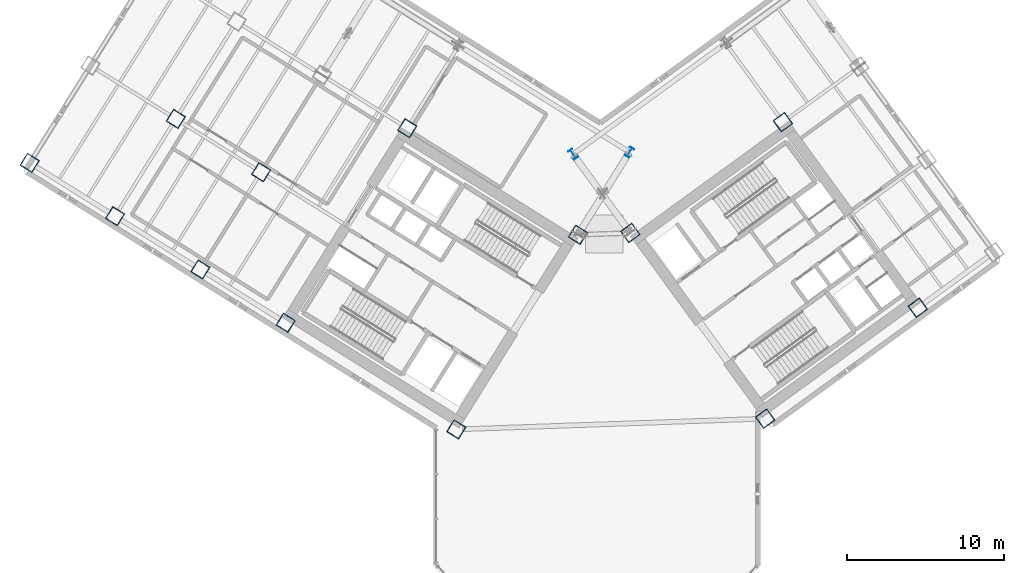
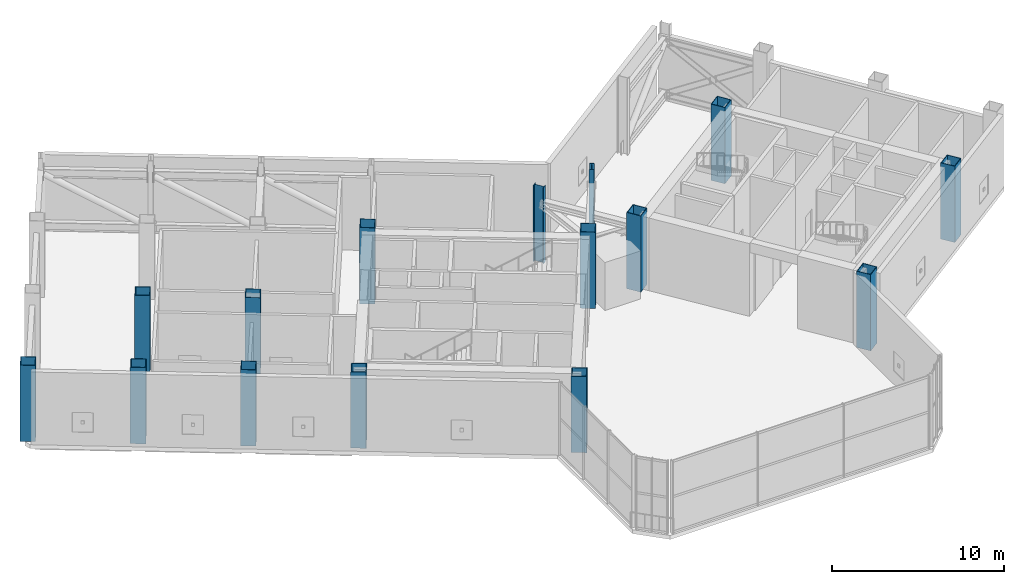
# One storey, part 1 of 21: 15 columns.
"""IFC4 building model written with IfcOpenShell, lengths in metres."""

import ifcopenshell
import ifcopenshell.guid

model = None  # the IFC model being written
_history = None  # IfcOwnerHistory: only IFC2X3 demands one
_inside = {}  # id of a spatial element -> (the spatial element, [elements in it])
_under = {}  # id of a project, library or spatial element -> (it, [spatial elements below it])
_declared = {}  # id of a project -> (the project, [libraries it declares])
_typed = {}  # id of a type object -> (the type object, [elements of that type])
_made_of = {}  # id of a material, layer set ... -> (it, [elements and type objects made of it])


def new_model(schema):
    """Start an empty IFC model of exactly this schema.

    Asked for "IFC4X3", IfcOpenShell would pick the latest addendum, in which some entities
    have other attributes; the version numbers below select the first issue.
    IFC2X3 requires an IfcOwnerHistory on every rooted entity: one is made here for all.
    """
    global model, _history
    if schema == "IFC4X3":
        model = ifcopenshell.file(schema_version=(4, 3, 0, 0))
    else:
        model = ifcopenshell.file(schema=schema)
    _inside.clear()
    _under.clear()
    _declared.clear()
    _typed.clear()
    _made_of.clear()
    _history = None
    if model.schema == "IFC2X3":
        org = make("IfcOrganization", Name="unknown")
        user = make(
            "IfcPersonAndOrganization",
            ThePerson=make("IfcPerson", FamilyName="unknown"),
            TheOrganization=org,
        )
        app = make(
            "IfcApplication",
            ApplicationDeveloper=org,
            Version="unknown",
            ApplicationFullName="unknown",
            ApplicationIdentifier="unknown",
        )
        _history = make(
            "IfcOwnerHistory",
            OwningUser=user,
            OwningApplication=app,
            ChangeAction="ADDED",
            CreationDate=0,
        )
    return model


def make(cls, **values):
    """One entity of the class cls with the attributes given. An attribute that is None is left unset."""
    return model.create_entity(
        cls, **{name: value for name, value in values.items() if value is not None}
    )


def rooted(cls, **values):
    """An entity with a GlobalId (a new one), such as an element, a storey or a relation."""
    return make(cls, GlobalId=ifcopenshell.guid.new(), OwnerHistory=_history, **values)


def si_unit(unit_type, name, prefix=None):
    """IfcSIUnit, for example si_unit("LENGTHUNIT", "METRE", prefix="MILLI")."""
    return make("IfcSIUnit", UnitType=unit_type, Prefix=prefix, Name=name)


def assignment(units):
    """IfcUnitAssignment: the units of a project."""
    return None if units is None else make("IfcUnitAssignment", Units=units)


def point(xyz):
    """IfcCartesianPoint."""
    return None if xyz is None else make("IfcCartesianPoint", Coordinates=xyz)


def direction(xyz):
    """IfcDirection."""
    return None if xyz is None else make("IfcDirection", DirectionRatios=xyz)


def frame(location, z_axis=None, x_axis=None):
    """IfcAxis2Placement3D, a coordinate frame: its origin and axes. An axis left out is left unset."""
    return make(
        "IfcAxis2Placement3D",
        Location=point(location),
        Axis=direction(z_axis),
        RefDirection=direction(x_axis),
    )


def frame_2d(location, x_axis=None):
    """IfcAxis2Placement2D, a coordinate frame in the plane: its origin and x axis."""
    return make(
        "IfcAxis2Placement2D", Location=point(location), RefDirection=direction(x_axis)
    )


def origin():
    """The frame at (0, 0, 0) with its axes left unset."""
    return frame((0.0, 0.0, 0.0))


def origin_2d():
    """The frame at (0, 0) in the plane with its x axis left unset."""
    return frame_2d((0.0, 0.0))


def place(relative_to, where):
    """IfcLocalPlacement: puts the frame where relative to a parent placement (None: the world)."""
    return make(
        "IfcLocalPlacement", PlacementRelTo=relative_to, RelativePlacement=where
    )


def context(
    kind, dimensions, precision=None, world=None, true_north=None, identifier=None
):
    """IfcGeometricRepresentationContext, for example the 3D "Model" context."""
    return make(
        "IfcGeometricRepresentationContext",
        ContextIdentifier=identifier,
        ContextType=kind,
        CoordinateSpaceDimension=dimensions,
        Precision=precision,
        WorldCoordinateSystem=world,
        TrueNorth=true_north,
    )


def subcontext(parent, identifier, kind, view, scale=None):
    """IfcGeometricRepresentationSubContext, for example "Body" below "Model"."""
    return make(
        "IfcGeometricRepresentationSubContext",
        ContextIdentifier=identifier,
        ContextType=kind,
        ParentContext=parent,
        TargetScale=scale,
        TargetView=view,
    )


def project(units=None, contexts=None):
    """IfcProject with its units and contexts."""
    return rooted(
        "IfcProject",
        Name="project",
        RepresentationContexts=contexts,
        UnitsInContext=assignment(units),
    )


def spatial(cls, under=None, at=None, **own):
    """A site, building, storey or space (cls), placed at a placement, below another one or the project."""
    s = rooted(cls, ObjectPlacement=at, **own)
    if under is not None:
        _under.setdefault(under.id(), (under, []))[1].append(s)
    return s


def profile(cls, at=None, kind="AREA", **sizes):
    """A parametric profile (cls). Its sizes go by their IFC names, for example OverallWidth=200.0."""
    return make(cls, ProfileType=kind, Position=at, **sizes)


def hollow_rectangle(**sizes):
    """IfcRectangleHollowProfileDef."""
    return profile("IfcRectangleHollowProfileDef", **sizes)


def i_section(**sizes):
    """IfcIShapeProfileDef."""
    return profile("IfcIShapeProfileDef", **sizes)


def extrude(swept, where, along, depth):
    """IfcExtrudedAreaSolid: the profile swept, set in the frame where, extruded along a direction by depth."""
    return make(
        "IfcExtrudedAreaSolid",
        SweptArea=swept,
        Position=where,
        ExtrudedDirection=direction(along),
        Depth=depth,
    )


def shape(context_of_items, identifier, shape_type, items):
    """IfcShapeRepresentation: the items that make up one representation, for example the "Body"."""
    return make(
        "IfcShapeRepresentation",
        ContextOfItems=context_of_items,
        RepresentationIdentifier=identifier,
        RepresentationType=shape_type,
        Items=items,
    )


def source(mapping_origin, context_of_items, identifier, shape_type, items):
    """IfcRepresentationMap: a shape defined once, which mapped items show again and again."""
    return make(
        "IfcRepresentationMap",
        MappingOrigin=mapping_origin,
        MappedRepresentation=shape(context_of_items, identifier, shape_type, items),
    )


def transform(
    local_origin,
    x_axis=None,
    y_axis=None,
    z_axis=None,
    scale=None,
    scale2=None,
    scale3=None,
    uniform=True,
):
    """IfcCartesianTransformationOperator3D, or its non-uniform kind. x_axis, y_axis, z_axis: its Axis1, 2, 3."""
    if uniform:
        return make(
            "IfcCartesianTransformationOperator3D",
            Axis1=direction(x_axis),
            Axis2=direction(y_axis),
            LocalOrigin=point(local_origin),
            Scale=scale,
            Axis3=direction(z_axis),
        )
    return make(
        "IfcCartesianTransformationOperator3DnonUniform",
        Axis1=direction(x_axis),
        Axis2=direction(y_axis),
        LocalOrigin=point(local_origin),
        Scale=scale,
        Axis3=direction(z_axis),
        Scale2=scale2,
        Scale3=scale3,
    )


def mapped(mapping_source, mapping_target):
    """IfcMappedItem: shows the shape of a source again, moved by a transform."""
    return make(
        "IfcMappedItem", MappingSource=mapping_source, MappingTarget=mapping_target
    )


def material(Name=None, Category=None):
    """IfcMaterial."""
    return make("IfcMaterial", Name=Name, Category=Category)


def material_profile(
    of_material, cross_section, Name=None, Category=None, Priority=None
):
    """IfcMaterialProfile: a cross section and its material."""
    return make(
        "IfcMaterialProfile",
        Name=Name,
        Material=of_material,
        Profile=cross_section,
        Priority=Priority,
        Category=Category,
    )


def profile_set(profiles, Name=None, composite=None):
    """IfcMaterialProfileSet."""
    return make(
        "IfcMaterialProfileSet",
        Name=Name,
        MaterialProfiles=profiles,
        CompositeProfile=composite,
    )


def made_of(thing, what):
    """Note that an element or type object is made of a material, layer set ...; save() writes the relation."""
    if what is not None:
        _made_of.setdefault(what.id(), (what, []))[1].append(thing)
    return thing


def type_object(cls, material=None, **own):
    """A type object (cls), such as IfcWallType, which elements share."""
    return made_of(rooted(cls, **own), material)


def element(
    cls,
    number,
    at=None,
    inside=None,
    cuts=None,
    type_object=None,
    material=None,
    context=None,
    identifier="Body",
    shape_type=None,
    held_by="IfcProductDefinitionShape",
    body=None,
    shapes=None,
    **own,
):
    """One element of the class cls, such as IfcWall. Its Tag is "e" and its number.

    at: its placement. inside: the storey or other place that contains it. cuts: it is an
    opening in that element (IfcRelVoidsElement). A single representation is given by context,
    identifier, shape_type and body (its items); several are given by shapes. held_by: the class
    of the entity that holds the representations. save() writes the other relations.
    """
    e = rooted(cls, Tag="e%d" % number, ObjectPlacement=at, **own)
    if body is not None:
        shapes = [shape(context, identifier, shape_type, body)]
    if shapes is not None:
        e.Representation = make(held_by, Representations=shapes)
    if inside is not None:
        _inside.setdefault(inside.id(), (inside, []))[1].append(e)
    if cuts is not None:
        rooted(
            "IfcRelVoidsElement", RelatingBuildingElement=cuts, RelatedOpeningElement=e
        )
    if type_object is not None:
        _typed.setdefault(type_object.id(), (type_object, []))[1].append(e)
    return made_of(e, material)


def aggregate(whole, parts):
    """IfcRelAggregates: a whole, such as a stair, and the parts it consists of."""
    return rooted("IfcRelAggregates", RelatingObject=whole, RelatedObjects=parts)


def save(model, path):
    """Write the relations noted so far, then the file.

    IfcRelAggregates (storeys below a building ...), IfcRelContainedInSpatialStructure (elements
    in a storey), IfcRelDefinesByType, IfcRelAssociatesMaterial and IfcRelDeclares: one each for
    every whole, place, type object, material and project.
    """
    for whole, parts in _under.values():
        aggregate(whole, parts)
    for where, things in _inside.values():
        rooted(
            "IfcRelContainedInSpatialStructure",
            RelatedElements=things,
            RelatingStructure=where,
        )
    for kind, things in _typed.values():
        rooted("IfcRelDefinesByType", RelatedObjects=things, RelatingType=kind)
    for what, things in _made_of.values():
        rooted("IfcRelAssociatesMaterial", RelatedObjects=things, RelatingMaterial=what)
    for by, libraries in _declared.values():
        rooted("IfcRelDeclares", RelatingContext=by, RelatedDefinitions=libraries)
    model.write(path)


model = new_model("IFC4")

# Units and contexts
model_context = context("Model", 3, precision=1e-05, world=origin(), true_north=direction((0.0, 1.0)))
body_context = subcontext(model_context, "Body", "Model", "MODEL_VIEW")
ifc_project = project(units=[si_unit("LENGTHUNIT", "METRE"), si_unit("AREAUNIT", "SQUARE_METRE"), si_unit("VOLUMEUNIT", "CUBIC_METRE"), si_unit("PLANEANGLEUNIT", "RADIAN"), si_unit("MASSUNIT", "GRAM", prefix="KILO")], contexts=[model_context])

# Site, building, storey
site_placement = place(None, origin())
site = spatial("IfcSite", under=ifc_project, at=site_placement, CompositionType="ELEMENT")
building_placement = place(site_placement, origin())
building = spatial("IfcBuilding", under=site, at=building_placement, Name="Tlacorven Tower", CompositionType="ELEMENT")
storey_placement = place(building_placement, frame((0.0, 0.0, 84.60009765625)))
storey = spatial("IfcBuildingStorey", under=building, at=storey_placement, Name="L21", CompositionType="ELEMENT", Elevation=84.60009765625)

# Columns
ifc_material = material(Name="Steel S460M", Category="steel")
ifc_material_profile_1 = material_profile(ifc_material, i_section(OverallWidth=0.300048828125, OverallDepth=0.64990234375, WebThickness=0.01611328125, FlangeThickness=0.031005859375, at=origin_2d()), Name="HEB 650")
ifc_profile_set_1 = profile_set([ifc_material_profile_1], Name="Steel S460M")
column_type_1 = type_object("IfcColumnType", Name="COL-TWR-P1", PredefinedType="COLUMN", material=ifc_profile_set_1)
shared_shape_1 = source(origin(), body_context, "Body", "SweptSolid", [
    extrude(i_section(OverallWidth=0.300048828125, OverallDepth=0.64990234375, WebThickness=0.01611328125, FlangeThickness=0.031005859375, at=origin_2d()), origin(), (0.0, 0.0, 1.0), 5.39990234375),
])
for number, where, z_axis, x_axis, name in (
    (1, (44.068359375, 29.726318359375, 0.0), (0.0, 0.0, 1.0), (-0.848048096156, 0.529919264233, 0.0), "L21 column COL-L21-W1-1"),
    (2, (40.4794921875, 29.60107421875, 0.0), (0.0, 0.0, 1.0), (0.809016994375, 0.587785252292, 0.0), "L21 column COL-L21-E1-4"),
):
    element("IfcColumn", number, at=place(storey_placement, frame(where, z_axis=z_axis, x_axis=x_axis)), inside=storey, type_object=column_type_1, Name=name, PredefinedType="COLUMN", context=body_context, shape_type="MappedRepresentation", body=[
        mapped(shared_shape_1, transform((0.0, 0.0, 0.0), scale=1.0)),
    ])
ifc_material_profile_2 = material_profile(ifc_material, hollow_rectangle(XDim=0.89990234375, YDim=0.89990234375, WallThickness=0.035888671875, at=origin_2d()), Name="BOX 900X900X36")
ifc_profile_set_2 = profile_set([ifc_material_profile_2], Name="Steel S460M")
column_type_2 = type_object("IfcColumnType", Name="COL-TWR-S2", PredefinedType="COLUMN", material=ifc_profile_set_2)
shared_shape_2 = source(origin(), body_context, "Body", "SweptSolid", [
    extrude(hollow_rectangle(XDim=0.89990234375, YDim=0.89990234375, WallThickness=0.035888671875, at=origin_2d()), origin(), (0.0, 0.0, 1.0), 5.39990234375),
])
for number, where, z_axis, x_axis, name in (
    (3, (40.782958984375, 24.468505859375, 0.0), (0.0, 0.0, 1.0), (-0.848048096156, 0.529919264233, 0.0), "L21 column COL-L21-W1-2"),
    (4, (33.046142578125, 12.0869140625, 0.0), (0.0, 0.0, 1.0), (-0.848048096156, 0.529919264233, 0.0), "L21 column COL-L21-W1-4"),
    (5, (29.927978515625, 31.25146484375, 0.0), (0.0, 0.0, 1.0), (-0.848048096156, 0.529919264233, 0.0), "L21 column COL-L21-W3-2"),
    (6, (22.191162109375, 18.869873046875, 0.0), (0.0, 0.0, 1.0), (-0.848048096156, 0.529919264233, 0.0), "L21 column COL-L21-W3-4"),
    (7, (20.632080078125, 28.4521484375, 0.0), (0.0, 0.0, 1.0), (-0.848048096156, 0.529919264233, 0.0), "L21 column COL-L21-W4-3"),
    (8, (16.763671875, 22.26123046875, 0.0), (0.0, 0.0, 1.0), (-0.848048096156, 0.529919264233, 0.0), "L21 column COL-L21-W4-4"),
    (9, (15.20458984375, 31.843505859375, 0.0), (0.0, 0.0, 1.0), (-0.848048096156, 0.529919264233, 0.0), "L21 column COL-L21-W5-3"),
    (10, (11.336181640625, 25.65283203125, 0.0), (0.0, 0.0, 1.0), (-0.848048096156, 0.529919264233, 0.0), "L21 column COL-L21-W5-4"),
    (11, (5.90869140625, 29.044189453125, 0.0), (0.0, 0.0, 1.0), (-0.848048096156, 0.529919264233, 0.0), "L21 column COL-L21-W6-4"),
    (12, (52.705322265625, 12.7734375, 0.0), (0.0, 0.0, 1.0), (0.809016994375, 0.587785252292, 0.0), "L21 column COL-L21-E1-1"),
    (13, (44.123779296875, 24.5849609375, 0.0), (0.0, 0.0, 1.0), (0.809016994375, 0.587785252292, 0.0), "L21 column COL-L21-E1-3"),
    (14, (62.41357421875, 19.826904296875, 0.0), (0.0, 0.0, 1.0), (0.809016994375, 0.587785252292, 0.0), "L21 column COL-L21-E3-1"),
    (15, (53.83203125, 31.638427734375, 0.0), (0.0, 0.0, 1.0), (0.809016994375, 0.587785252292, 0.0), "L21 column COL-L21-E3-3"),
):
    element("IfcColumn", number, at=place(storey_placement, frame(where, z_axis=z_axis, x_axis=x_axis)), inside=storey, type_object=column_type_2, Name=name, PredefinedType="COLUMN", context=body_context, shape_type="MappedRepresentation", body=[
        mapped(shared_shape_2, transform((0.0, 0.0, 0.0), scale=1.0)),
    ])

save(model, "model.ifc")
